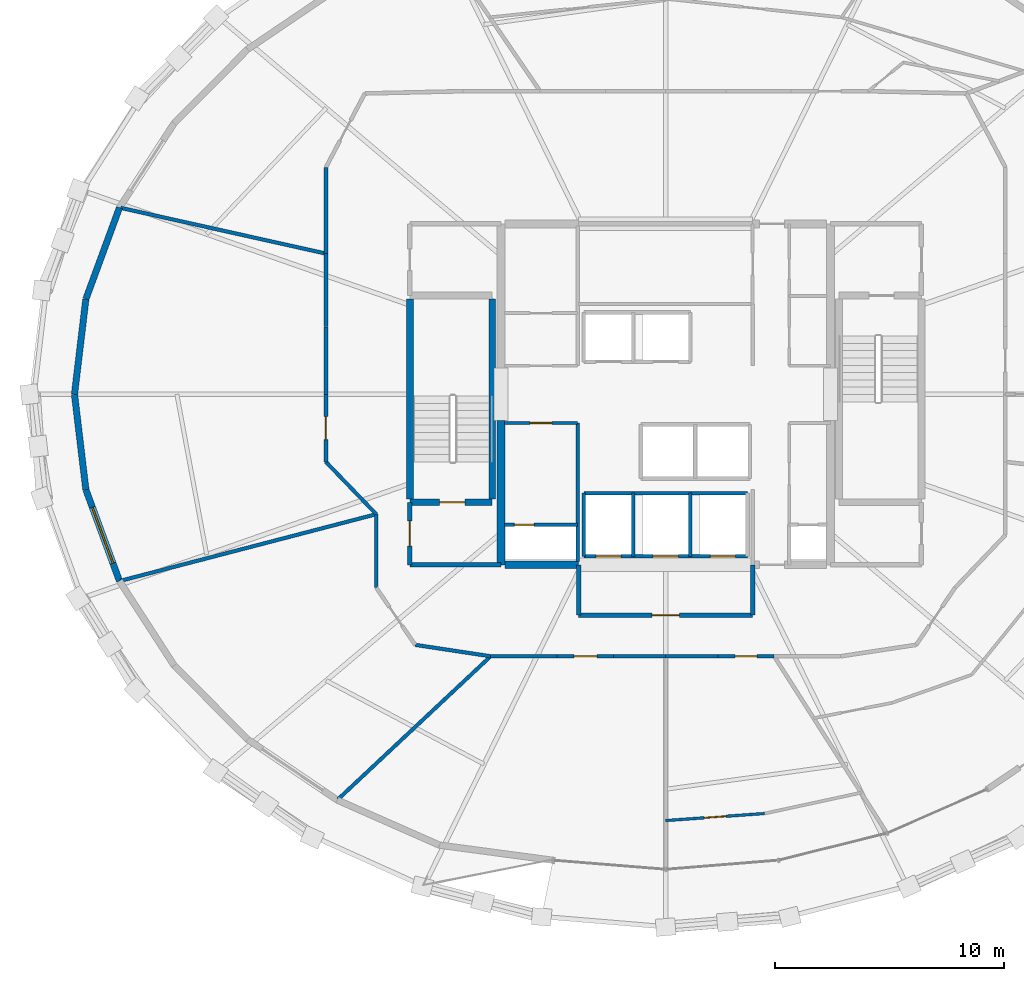
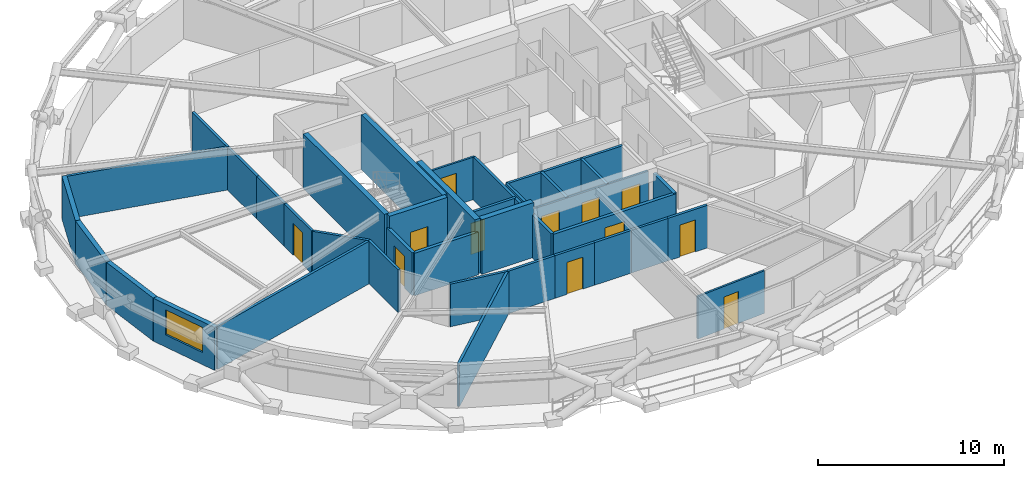
# One storey, part 13 of 17: 38 walls, 12 doors, 1 window, 13 openings.
"""IFC4 building model written with IfcOpenShell, lengths in metres."""

from ifc_helpers import new_model, si_unit, direction, frame, frame_2d, origin, place, context, subcontext, project, spatial, rectangle, extrude, material, layer, layer_set, type_object, element, fill, save


model = new_model("IFC4")

# Units and contexts
model_context = context("Model", 3, precision=1e-05, world=origin(), true_north=direction((0.0, 1.0)))
body_context = subcontext(model_context, "Body", "Model", "MODEL_VIEW")
ifc_project = project(units=[si_unit("LENGTHUNIT", "METRE"), si_unit("AREAUNIT", "SQUARE_METRE"), si_unit("VOLUMEUNIT", "CUBIC_METRE"), si_unit("PLANEANGLEUNIT", "RADIAN"), si_unit("MASSUNIT", "GRAM", prefix="KILO")], contexts=[model_context])

# Site, building, storey
site_placement = place(None, origin())
site = spatial("IfcSite", under=ifc_project, at=site_placement, CompositionType="ELEMENT")
building_placement = place(site_placement, origin())
building = spatial("IfcBuilding", under=site, at=building_placement, Name="Veldorina Hangang Commons", CompositionType="ELEMENT")
storey_placement = place(building_placement, frame((0.0, 0.0, 178.39990234375)))
storey = spatial("IfcBuildingStorey", under=building, at=storey_placement, Name="L46", CompositionType="ELEMENT", Elevation=178.39990234375)

# Walls
ifc_material_1 = material(Name="Concrete C60/75", Category="concrete")
ifc_layer_1 = layer(ifc_material_1, 0.340087890625)
ifc_layer_set_1 = layer_set([ifc_layer_1], Name="Concrete C60/75")
wall_type_1 = type_object("IfcWallType", Name="CW-RC340-C60", PredefinedType="SHEAR", material=ifc_layer_set_1)
wall_1_placement = place(storey_placement, frame((24.800048828125, 16.550048828125, 0.0), z_axis=(0.0, 0.0, 1.0), x_axis=(0.0, 1.0, 0.0)))
element("IfcWall", 1, at=wall_1_placement, inside=storey, type_object=wall_type_1, Name="L46 W south core shear wall", PredefinedType="SHEAR", context=body_context, shape_type="SweptSolid", body=[
    extrude(rectangle(XDim=6.300048828125, YDim=0.340087890625, at=frame_2d((3.14990234375, 0.0))), origin(), (0.0, 0.0, 1.0), 3.60009765625),
])
wall_2_placement = place(storey_placement, frame((24.969970703125, 16.550048828125, 0.0), z_axis=(0.0, 0.0, 1.0), x_axis=(1.0, 0.0, 0.0)))
element("IfcWall", 2, at=wall_2_placement, inside=storey, type_object=wall_type_1, Name="L46 south-west core shear wall", PredefinedType="SHEAR", context=body_context, shape_type="SweptSolid", body=[
    extrude(rectangle(XDim=3.22998046875, YDim=0.340087890625, at=frame_2d((1.614990234375, 0.0))), origin(), (0.0, 0.0, 1.0), 3.60009765625),
])
ifc_material_2 = material(Name="Stone Roman Travertine", Category="masonry")
ifc_layer_2 = layer(ifc_material_2, 0.280029296875)
ifc_layer_set_2 = layer_set([ifc_layer_2], Name="Stone Roman Travertine")
wall_type_2 = type_object("IfcWallType", Name="EW-TRAV-280", PredefinedType="STANDARD", material=ifc_layer_set_2)
wall_3_placement = place(storey_placement, frame((8.12744140625, 32.161865234375, 0.0), z_axis=(0.0, 0.0, 1.0), x_axis=(-0.344964732898, -0.93861564714, 0.0)))
element("IfcWall", 3, at=wall_3_placement, inside=storey, type_object=wall_type_2, Name="L46 travertine facade wall 14", PredefinedType="STANDARD", context=body_context, shape_type="SweptSolid", body=[
    extrude(rectangle(XDim=4.2626953125, YDim=0.280029296875, at=frame_2d((2.13134765625, 0.0))), origin(), (0.0, 0.0, 1.0), 2.820068359375),
])
for number, where, z_axis, x_axis, name in (
    (4, (6.656982421875, 28.160888671875, 0.0), (0.0, 0.0, 1.0), (-0.118504225586, -0.992953548016, 0.0), "L46 travertine facade wall 15"),
    (5, (6.160400390625, 24.0, 0.0), (0.0, 0.0, 1.0), (0.118504225586, -0.992953548016, 0.0), "L46 travertine facade wall 16"),
):
    element("IfcWall", number, at=place(storey_placement, frame(where, z_axis=z_axis, x_axis=x_axis)), inside=storey, type_object=wall_type_2, Name=name, PredefinedType="STANDARD", context=body_context, shape_type="SweptSolid", body=[
        extrude(rectangle(XDim=4.1904296875, YDim=0.280029296875, at=frame_2d((2.09521484375, 0.0))), origin(), (0.0, 0.0, 1.0), 2.820068359375),
    ])

# Wall, opening, window
wall_4_placement = place(storey_placement, frame((6.656982421875, 19.839111328125, 0.0), z_axis=(0.0, 0.0, 1.0), x_axis=(0.344964732898, -0.93861564714, 0.0)))
wall_4 = element("IfcWall", 6, at=wall_4_placement, inside=storey, type_object=wall_type_2, Name="L46 travertine facade wall 17", PredefinedType="STANDARD", context=body_context, shape_type="SweptSolid", body=[
    extrude(rectangle(XDim=4.2626953125, YDim=0.280029296875, at=frame_2d((2.13134765625, 0.0))), origin(), (0.0, 0.0, 1.0), 2.820068359375),
])
opening_1_placement = place(wall_4_placement, frame((0.831298828125, 0.0, 0.800048828125)))
opening_1 = element("IfcOpeningElement", 7, at=opening_1_placement, cuts=wall_4, Name="Opening W-02", PredefinedType="OPENING", context=body_context, shape_type="SweptSolid", body=[
    extrude(rectangle(XDim=2.60009765625, YDim=1.64990234375, at=frame_2d((1.300048828125, 0.824951171875))), frame((0.0, 0.14990234375, 0.0), z_axis=(0.0, -1.0, 0.0), x_axis=(1.0, 0.0, 0.0)), (0.0, 0.0, 1.0), 0.300048828125),
])
ifc_material_3 = material(Name="Glass Low-E Triple IGU", Category="glass")
window_type = type_object("IfcWindowType", Name="WIN-TWR-2600", PartitioningType="SINGLE_PANEL", PredefinedType="WINDOW", material=ifc_material_3)
window_placement = place(opening_1_placement, origin())
window = element("IfcWindow", 8, at=window_placement, inside=storey, type_object=window_type, Name="L46 facade window 17", OverallHeight=1.64990234375, OverallWidth=2.60009765625, PartitioningType="SINGLE_PANEL", PredefinedType="WINDOW", context=body_context, shape_type="SweptSolid", body=[
    extrude(rectangle(XDim=2.60009765625, YDim=1.64990234375, at=frame_2d((1.300048828125, 0.824951171875))), frame((0.0, 0.030029296875, 0.0), z_axis=(0.0, -1.0, 0.0), x_axis=(1.0, 0.0, 0.0)), (0.0, 0.0, 1.0), 0.06005859375),
])
fill(opening_1, window)

# Walls
ifc_material_4 = material(Name="Concrete C50/60", Category="concrete")
ifc_layer_3 = layer(ifc_material_4, 0.300048828125)
ifc_layer_set_3 = layer_set([ifc_layer_3], Name="Concrete C50/60")
wall_type_3 = type_object("IfcWallType", Name="SW-STAIR-300", PredefinedType="SHEAR", material=ifc_layer_set_3)
for number, where, z_axis, x_axis, name in (
    (9, (20.820068359375, 19.429931640625, 0.0), (0.0, 0.0, 1.0), (0.0, 1.0, 0.0), "L46 ST1 outer stair shear wall"),
    (10, (24.419921875, 19.429931640625, 0.0), (0.0, 0.0, 1.0), (0.0, 1.0, 0.0), "L46 ST1 inner stair shear wall"),
):
    element("IfcWall", number, at=place(storey_placement, frame(where, z_axis=z_axis, x_axis=x_axis)), inside=storey, type_object=wall_type_3, Name=name, PredefinedType="SHEAR", context=body_context, shape_type="SweptSolid", body=[
        extrude(rectangle(XDim=8.739990234375, YDim=0.300048828125, at=frame_2d((4.3701171875, 0.0))), origin(), (0.0, 0.0, 1.0), 3.60009765625),
    ])

# Wall, opening, door
wall_5_placement = place(storey_placement, frame((20.820068359375, 19.280029296875, 0.0), z_axis=(0.0, 0.0, 1.0), x_axis=(1.0, 0.0, 0.0)))
wall_5 = element("IfcWall", 11, at=wall_5_placement, inside=storey, type_object=wall_type_3, Name="L46 ST1 south stair shear wall", PredefinedType="SHEAR", context=body_context, shape_type="SweptSolid", body=[
    extrude(rectangle(XDim=3.599853515625, YDim=0.300048828125, at=frame_2d((1.7998046875, 0.0))), origin(), (0.0, 0.0, 1.0), 3.60009765625),
])
opening_2_placement = place(wall_5_placement, frame((1.300048828125, 0.0, 0.0)))
opening_2 = element("IfcOpeningElement", 12, at=opening_2_placement, cuts=wall_5, Name="Opening D-08", PredefinedType="OPENING", context=body_context, shape_type="SweptSolid", body=[
    extrude(rectangle(XDim=1.10009765625, YDim=2.10009765625, at=frame_2d((0.550048828125, 1.050048828125))), frame((0.0, 0.16015625, 0.0), z_axis=(0.0, -1.0, 0.0), x_axis=(1.0, 0.0, 0.0)), (0.0, 0.0, 1.0), 0.320068359375),
])
ifc_material_5 = material(Name="Steel Fire-Rated Smoke Seal", Category="steel")
door_type_1 = type_object("IfcDoorType", Name="DR-FIRE-1100", OperationType="SINGLE_SWING_RIGHT", PredefinedType="DOOR", material=ifc_material_5)
door_1_placement = place(opening_2_placement, origin())
door_1 = element("IfcDoor", 13, at=door_1_placement, inside=storey, type_object=door_type_1, Name="L46 Special Escape Stair ST-1 door", OperationType="SINGLE_SWING_LEFT", OverallHeight=2.10009765625, OverallWidth=1.10009765625, PredefinedType="DOOR", context=body_context, shape_type="SweptSolid", body=[
    extrude(rectangle(XDim=1.10009765625, YDim=2.10009765625, at=frame_2d((0.550048828125, 1.050048828125))), frame((0.0, 0.02490234375, 0.0), z_axis=(0.0, -1.0, 0.0), x_axis=(1.0, 0.0, 0.0)), (0.0, 0.0, 1.0), 0.050048828125),
])
fill(opening_2, door_1)

# Wall, openings, doors
ifc_material_6 = material(Name="Gypsum Fire-Rated Twin Stud Wall", Category="gypsum")
ifc_layer_4 = layer(ifc_material_6, 0.159912109375)
ifc_layer_set_4 = layer_set([ifc_layer_4], Name="Gypsum Fire-Rated Twin Stud Wall")
wall_type_4 = type_object("IfcWallType", Name="WL-FIRE-160", PredefinedType="SOLIDWALL", material=ifc_layer_set_4)
wall_6_placement = place(storey_placement, frame((28.419921875, 16.919921875, 0.0), z_axis=(0.0, 0.0, 1.0), x_axis=(1.0, 0.0, 0.0)))
wall_6 = element("IfcWall", 14, at=wall_6_placement, inside=storey, type_object=wall_type_4, Name="L46 Emergency front shaft wall 025", PredefinedType="SOLIDWALL", context=body_context, shape_type="SweptSolid", body=[
    extrude(rectangle(XDim=7.16015625, YDim=0.159912109375, at=frame_2d((3.580078125, 0.0))), origin(), (0.0, 0.0, 1.0), 2.800048828125),
])
opening_3_placement = place(wall_6_placement, frame((0.530029296875, 0.0, 0.0)))
opening_3 = element("IfcOpeningElement", 15, at=opening_3_placement, cuts=wall_6, Name="Opening LD-03", PredefinedType="OPENING", context=body_context, shape_type="SweptSolid", body=[
    extrude(rectangle(XDim=1.10009765625, YDim=2.14990234375, at=frame_2d((0.550048828125, 1.074951171875))), frame((0.0, 0.08984375, 0.0), z_axis=(0.0, -1.0, 0.0), x_axis=(1.0, 0.0, 0.0)), (0.0, 0.0, 1.0), 0.179931640625),
])
opening_4_placement = place(wall_6_placement, frame((3.030029296875, 0.0, 0.0)))
opening_4 = element("IfcOpeningElement", 16, at=opening_4_placement, cuts=wall_6, Name="Opening LD-03", PredefinedType="OPENING", context=body_context, shape_type="SweptSolid", body=[
    extrude(rectangle(XDim=1.10009765625, YDim=2.14990234375, at=frame_2d((0.550048828125, 1.074951171875))), frame((0.0, 0.08984375, 0.0), z_axis=(0.0, -1.0, 0.0), x_axis=(1.0, 0.0, 0.0)), (0.0, 0.0, 1.0), 0.179931640625),
])
opening_5_placement = place(wall_6_placement, frame((5.530029296875, 0.0, 0.0)))
opening_5 = element("IfcOpeningElement", 17, at=opening_5_placement, cuts=wall_6, Name="Opening LD-03", PredefinedType="OPENING", context=body_context, shape_type="SweptSolid", body=[
    extrude(rectangle(XDim=1.10009765625, YDim=2.14990234375, at=frame_2d((0.550048828125, 1.074951171875))), frame((0.0, 0.08984375, 0.0), z_axis=(0.0, -1.0, 0.0), x_axis=(1.0, 0.0, 0.0)), (0.0, 0.0, 1.0), 0.179931640625),
])
ifc_material_7 = material(Name="Stainless Steel Firefighting Lift Door", Category="steel")
door_type_2 = type_object("IfcDoorType", Name="DR-LIFT-FF1100", OperationType="SLIDING_TO_RIGHT", PredefinedType="DOOR", material=ifc_material_7)
door_2_placement = place(opening_3_placement, origin())
door_2 = element("IfcDoor", 18, at=door_2_placement, inside=storey, type_object=door_type_2, Name="L46 Emergency lift FFL-1 landing door 008", OperationType="SLIDING_TO_RIGHT", OverallHeight=2.14990234375, OverallWidth=1.10009765625, PredefinedType="DOOR", context=body_context, shape_type="SweptSolid", body=[
    extrude(rectangle(XDim=1.10009765625, YDim=2.14990234375, at=frame_2d((0.550048828125, 1.074951171875))), frame((0.0, 0.02490234375, 0.0), z_axis=(0.0, -1.0, 0.0), x_axis=(1.0, 0.0, 0.0)), (0.0, 0.0, 1.0), 0.050048828125),
])
fill(opening_3, door_2)
door_3_placement = place(opening_4_placement, origin())
door_3 = element("IfcDoor", 19, at=door_3_placement, inside=storey, type_object=door_type_2, Name="L46 Emergency lift FFL-2 landing door 009", OperationType="SLIDING_TO_RIGHT", OverallHeight=2.14990234375, OverallWidth=1.10009765625, PredefinedType="DOOR", context=body_context, shape_type="SweptSolid", body=[
    extrude(rectangle(XDim=1.10009765625, YDim=2.14990234375, at=frame_2d((0.550048828125, 1.074951171875))), frame((0.0, 0.02490234375, 0.0), z_axis=(0.0, -1.0, 0.0), x_axis=(1.0, 0.0, 0.0)), (0.0, 0.0, 1.0), 0.050048828125),
])
fill(opening_4, door_3)
door_4_placement = place(opening_5_placement, origin())
door_4 = element("IfcDoor", 20, at=door_4_placement, inside=storey, type_object=door_type_2, Name="L46 Emergency lift EVL-1 landing door 010", OperationType="SLIDING_TO_RIGHT", OverallHeight=2.14990234375, OverallWidth=1.10009765625, PredefinedType="DOOR", context=body_context, shape_type="SweptSolid", body=[
    extrude(rectangle(XDim=1.10009765625, YDim=2.14990234375, at=frame_2d((0.550048828125, 1.074951171875))), frame((0.0, 0.02490234375, 0.0), z_axis=(0.0, -1.0, 0.0), x_axis=(1.0, 0.0, 0.0)), (0.0, 0.0, 1.0), 0.050048828125),
])
fill(opening_5, door_4)

# Walls
wall_7_placement = place(storey_placement, frame((28.419921875, 19.679931640625, 0.0), z_axis=(0.0, 0.0, 1.0), x_axis=(1.0, 0.0, 0.0)))
element("IfcWall", 21, at=wall_7_placement, inside=storey, type_object=wall_type_4, Name="L46 Emergency rear shaft wall 026", PredefinedType="SOLIDWALL", context=body_context, shape_type="SweptSolid", body=[
    extrude(rectangle(XDim=7.16015625, YDim=0.159912109375, at=frame_2d((3.580078125, 0.0))), origin(), (0.0, 0.0, 1.0), 2.800048828125),
])
for number, where, z_axis, x_axis, name in (
    (22, (28.419921875, 16.919921875, 0.0), (0.0, 0.0, 1.0), (0.0, 1.0, 0.0), "L46 FFL-1 west shaft wall 027"),
    (23, (30.580078125, 16.919921875, 0.0), (0.0, 0.0, 1.0), (0.0, 1.0, 0.0), "L46 FFL-1 east shaft wall 028"),
    (24, (33.080078125, 16.919921875, 0.0), (0.0, 0.0, 1.0), (0.0, 1.0, 0.0), "L46 FFL-2 east shaft wall 029"),
):
    element("IfcWall", number, at=place(storey_placement, frame(where, z_axis=z_axis, x_axis=x_axis)), inside=storey, type_object=wall_type_4, Name=name, PredefinedType="SOLIDWALL", context=body_context, shape_type="SweptSolid", body=[
        extrude(rectangle(XDim=2.760009765625, YDim=0.159912109375, at=frame_2d((1.3798828125, 0.0))), origin(), (0.0, 0.0, 1.0), 2.800048828125),
    ])

# Wall, opening, door
wall_8_placement = place(storey_placement, frame((24.949951171875, 18.300048828125, 0.0), z_axis=(0.0, 0.0, 1.0), x_axis=(1.0, 0.0, 0.0)))
wall_8 = element("IfcWall", 25, at=wall_8_placement, inside=storey, type_object=wall_type_4, Name="L46 Electrical riser wall 034", PredefinedType="SOLIDWALL", context=body_context, shape_type="SweptSolid", body=[
    extrude(rectangle(XDim=3.199951171875, YDim=0.159912109375, at=frame_2d((1.60009765625, 0.0))), origin(), (0.0, 0.0, 1.0), 2.800048828125),
])
opening_6_placement = place(wall_8_placement, frame((0.43994140625, 0.0, 0.0)))
opening_6 = element("IfcOpeningElement", 26, at=opening_6_placement, cuts=wall_8, Name="Opening D-12", PredefinedType="OPENING", context=body_context, shape_type="SweptSolid", body=[
    extrude(rectangle(XDim=0.860107421875, YDim=2.050048828125, at=frame_2d((0.43017578125, 1.02490234375))), frame((0.0, 0.08984375, 0.0), z_axis=(0.0, -1.0, 0.0), x_axis=(1.0, 0.0, 0.0)), (0.0, 0.0, 1.0), 0.179931640625),
])
ifc_material_8 = material(Name="Steel Insulated Riser Access", Category="steel")
door_type_3 = type_object("IfcDoorType", Name="DR-TRAP-860", OperationType="SINGLE_SWING_LEFT", PredefinedType="TRAPDOOR", material=ifc_material_8)
door_5_placement = place(opening_6_placement, origin())
door_5 = element("IfcDoor", 27, at=door_5_placement, inside=storey, type_object=door_type_3, Name="L46 Electrical riser access door 012", OperationType="SINGLE_SWING_RIGHT", OverallHeight=2.050048828125, OverallWidth=0.860107421875, PredefinedType="TRAPDOOR", context=body_context, shape_type="SweptSolid", body=[
    extrude(rectangle(XDim=0.860107421875, YDim=2.050048828125, at=frame_2d((0.43017578125, 1.02490234375))), frame((0.0, 0.02490234375, 0.0), z_axis=(0.0, -1.0, 0.0), x_axis=(1.0, 0.0, 0.0)), (0.0, 0.0, 1.0), 0.050048828125),
])
fill(opening_6, door_5)

# Walls
wall_9_placement = place(storey_placement, frame((28.14990234375, 16.699951171875, 0.0), z_axis=(0.0, 0.0, 1.0), x_axis=(0.0, 1.0, 0.0)))
element("IfcWall", 28, at=wall_9_placement, inside=storey, type_object=wall_type_4, Name="L46 SW core inner wall 035", PredefinedType="SOLIDWALL", context=body_context, shape_type="SweptSolid", body=[
    extrude(rectangle(XDim=6.050048828125, YDim=0.159912109375, at=frame_2d((3.02490234375, 0.0))), origin(), (0.0, 0.0, 1.0), 2.800048828125),
])
wall_10_placement = place(storey_placement, frame((17.14990234375, 33.922607421875, 0.0), z_axis=(0.0, 0.0, 1.0), x_axis=(0.0, -1.0, 0.0)))
element("IfcWall", 29, at=wall_10_placement, inside=storey, type_object=wall_type_4, Name="L46 U-corridor outer wall 13 059", PredefinedType="SOLIDWALL", context=body_context, shape_type="SweptSolid", body=[
    extrude(rectangle(XDim=3.771484375, YDim=0.159912109375, at=frame_2d((1.8857421875, 0.0))), origin(), (0.0, 0.0, 1.0), 2.800048828125),
])
wall_11_placement = place(storey_placement, frame((17.14990234375, 30.151123046875, 0.0), z_axis=(0.0, 0.0, 1.0), x_axis=(0.0, -1.0, 0.0)))
element("IfcWall", 30, at=wall_11_placement, inside=storey, type_object=wall_type_4, Name="L46 U-corridor outer wall 14 060", PredefinedType="SOLIDWALL", context=body_context, shape_type="SweptSolid", body=[
    extrude(rectangle(XDim=3.197265625, YDim=0.159912109375, at=frame_2d((1.5986328125, 0.0))), origin(), (0.0, 0.0, 1.0), 2.800048828125),
])
wall_12_placement = place(storey_placement, frame((17.14990234375, 26.953857421875, 0.0), z_axis=(0.0, 0.0, 1.0), x_axis=(0.0, -1.0, 0.0)))
element("IfcWall", 31, at=wall_12_placement, inside=storey, type_object=wall_type_4, Name="L46 U-corridor outer wall 15 061", PredefinedType="SOLIDWALL", context=body_context, shape_type="SweptSolid", body=[
    extrude(rectangle(XDim=2.953857421875, YDim=0.159912109375, at=frame_2d((1.47705078125, 0.0))), origin(), (0.0, 0.0, 1.0), 2.800048828125),
])

# Wall, opening, door
wall_13_placement = place(storey_placement, frame((17.14990234375, 24.0, 0.0), z_axis=(0.0, 0.0, 1.0), x_axis=(0.0, -1.0, 0.0)))
wall_13 = element("IfcWall", 32, at=wall_13_placement, inside=storey, type_object=wall_type_4, Name="L46 U-corridor outer wall 16 062", PredefinedType="SOLIDWALL", context=body_context, shape_type="SweptSolid", body=[
    extrude(rectangle(XDim=2.953857421875, YDim=0.159912109375, at=frame_2d((1.47705078125, 0.0))), origin(), (0.0, 0.0, 1.0), 2.800048828125),
])
opening_7_placement = place(wall_13_placement, frame((0.976806640625, 0.0, 0.0)))
opening_7 = element("IfcOpeningElement", 33, at=opening_7_placement, cuts=wall_13, Name="Opening D-05", PredefinedType="OPENING", context=body_context, shape_type="SweptSolid", body=[
    extrude(rectangle(XDim=1.0, YDim=2.10009765625, at=frame_2d((0.5, 1.050048828125))), frame((0.0, 0.08984375, 0.0), z_axis=(0.0, -1.0, 0.0), x_axis=(1.0, 0.0, 0.0)), (0.0, 0.0, 1.0), 0.179931640625),
])
ifc_material_9 = material(Name="Timber Solid Core Acoustic", Category="wood")
door_type_4 = type_object("IfcDoorType", Name="DR-INT-1000", OperationType="SINGLE_SWING_RIGHT", PredefinedType="DOOR", material=ifc_material_9)
door_6_placement = place(opening_7_placement, origin())
door_6 = element("IfcDoor", 34, at=door_6_placement, inside=storey, type_object=door_type_4, Name="L46 Floor Study Room 5 door 033", OperationType="SINGLE_SWING_LEFT", OverallHeight=2.10009765625, OverallWidth=1.0, PredefinedType="DOOR", context=body_context, shape_type="SweptSolid", body=[
    extrude(rectangle(XDim=1.0, YDim=2.10009765625, at=frame_2d((0.5, 1.050048828125))), frame((0.0, 0.02490234375, 0.0), z_axis=(0.0, -1.0, 0.0), x_axis=(1.0, 0.0, 0.0)), (0.0, 0.0, 1.0), 0.050048828125),
])
fill(opening_7, door_6)

# Walls
wall_14_placement = place(storey_placement, frame((17.14990234375, 21.046142578125, 0.0), z_axis=(0.0, 0.0, 1.0), x_axis=(0.693473090138, -0.72048252807, 0.0)))
element("IfcWall", 35, at=wall_14_placement, inside=storey, type_object=wall_type_4, Name="L46 U-corridor outer wall 17 063", PredefinedType="SOLIDWALL", context=body_context, shape_type="SweptSolid", body=[
    extrude(rectangle(XDim=3.172607421875, YDim=0.159912109375, at=frame_2d((1.58642578125, 0.0))), origin(), (0.0, 0.0, 1.0), 2.800048828125),
])
wall_15_placement = place(storey_placement, frame((19.35009765625, 18.76025390625, 0.0), z_axis=(0.0, 0.0, 1.0), x_axis=(0.0, -1.0, 0.0)))
element("IfcWall", 36, at=wall_15_placement, inside=storey, type_object=wall_type_4, Name="L46 U-corridor outer wall 18 064", PredefinedType="SOLIDWALL", context=body_context, shape_type="SweptSolid", body=[
    extrude(rectangle(XDim=3.212646484375, YDim=0.159912109375, at=frame_2d((1.6064453125, 0.0))), origin(), (0.0, 0.0, 1.0), 2.800048828125),
])
wall_16_placement = place(storey_placement, frame((21.050048828125, 13.050048828125, 0.0), z_axis=(0.0, 0.0, 1.0), x_axis=(0.988710906508, -0.149835721217, 0.0)))
element("IfcWall", 37, at=wall_16_placement, inside=storey, type_object=wall_type_4, Name="L46 U-corridor outer wall 20 066", PredefinedType="SOLIDWALL", context=body_context, shape_type="SweptSolid", body=[
    extrude(rectangle(XDim=3.3369140625, YDim=0.159912109375, at=frame_2d((1.66845703125, 0.0))), origin(), (0.0, 0.0, 1.0), 2.800048828125),
])
wall_17_placement = place(storey_placement, frame((24.349365234375, 12.550048828125, 0.0), z_axis=(0.0, 0.0, 1.0), x_axis=(1.0, 0.0, 0.0)))
element("IfcWall", 38, at=wall_17_placement, inside=storey, type_object=wall_type_4, Name="L46 U-corridor outer wall 21 067", PredefinedType="SOLIDWALL", context=body_context, shape_type="SweptSolid", body=[
    extrude(rectangle(XDim=2.907958984375, YDim=0.159912109375, at=frame_2d((1.4541015625, 0.0))), origin(), (0.0, 0.0, 1.0), 2.800048828125),
])

# Wall, opening, door
wall_18_placement = place(storey_placement, frame((27.25732421875, 12.550048828125, 0.0), z_axis=(0.0, 0.0, 1.0), x_axis=(1.0, 0.0, 0.0)))
wall_18 = element("IfcWall", 39, at=wall_18_placement, inside=storey, type_object=wall_type_4, Name="L46 U-corridor outer wall 22 068", PredefinedType="SOLIDWALL", context=body_context, shape_type="SweptSolid", body=[
    extrude(rectangle(XDim=2.465087890625, YDim=0.159912109375, at=frame_2d((1.232421875, 0.0))), origin(), (0.0, 0.0, 1.0), 2.800048828125),
])
opening_8_placement = place(wall_18_placement, frame((0.732666015625, 0.0, 0.0)))
opening_8 = element("IfcOpeningElement", 40, at=opening_8_placement, cuts=wall_18, Name="Opening D-05", PredefinedType="OPENING", context=body_context, shape_type="SweptSolid", body=[
    extrude(rectangle(XDim=1.0, YDim=2.10009765625, at=frame_2d((0.5, 1.050048828125))), frame((0.0, 0.08984375, 0.0), z_axis=(0.0, -1.0, 0.0), x_axis=(1.0, 0.0, 0.0)), (0.0, 0.0, 1.0), 0.179931640625),
])
door_7_placement = place(opening_8_placement, origin())
door_7 = element("IfcDoor", 41, at=door_7_placement, inside=storey, type_object=door_type_4, Name="L46 Seminar Focus Room 7 door 035", OperationType="SINGLE_SWING_LEFT", OverallHeight=2.10009765625, OverallWidth=1.0, PredefinedType="DOOR", context=body_context, shape_type="SweptSolid", body=[
    extrude(rectangle(XDim=1.0, YDim=2.10009765625, at=frame_2d((0.5, 1.050048828125))), frame((0.0, 0.02490234375, 0.0), z_axis=(0.0, -1.0, 0.0), x_axis=(1.0, 0.0, 0.0)), (0.0, 0.0, 1.0), 0.050048828125),
])
fill(opening_8, door_7)

# Walls
for number, where, z_axis, x_axis, name in (
    (42, (29.722412109375, 12.550048828125, 0.0), (0.0, 0.0, 1.0), (1.0, 0.0, 0.0), "L46 U-corridor outer wall 23 069"),
    (43, (32.0, 12.550048828125, 0.0), (0.0, 0.0, 1.0), (1.0, 0.0, 0.0), "L46 U-corridor outer wall 24 070"),
):
    element("IfcWall", number, at=place(storey_placement, frame(where, z_axis=z_axis, x_axis=x_axis)), inside=storey, type_object=wall_type_4, Name=name, PredefinedType="SOLIDWALL", context=body_context, shape_type="SweptSolid", body=[
        extrude(rectangle(XDim=2.277587890625, YDim=0.159912109375, at=frame_2d((1.138671875, 0.0))), origin(), (0.0, 0.0, 1.0), 2.800048828125),
    ])

# Wall, opening, door
wall_19_placement = place(storey_placement, frame((34.277587890625, 12.550048828125, 0.0), z_axis=(0.0, 0.0, 1.0), x_axis=(1.0, 0.0, 0.0)))
wall_19 = element("IfcWall", 44, at=wall_19_placement, inside=storey, type_object=wall_type_4, Name="L46 U-corridor outer wall 25 071", PredefinedType="SOLIDWALL", context=body_context, shape_type="SweptSolid", body=[
    extrude(rectangle(XDim=2.465087890625, YDim=0.159912109375, at=frame_2d((1.232421875, 0.0))), origin(), (0.0, 0.0, 1.0), 2.800048828125),
])
opening_9_placement = place(wall_19_placement, frame((0.757568359375, 0.0, 0.0)))
opening_9 = element("IfcOpeningElement", 45, at=opening_9_placement, cuts=wall_19, Name="Opening D-02", PredefinedType="OPENING", context=body_context, shape_type="SweptSolid", body=[
    extrude(rectangle(XDim=0.949951171875, YDim=2.10009765625, at=frame_2d((0.47509765625, 1.050048828125))), frame((0.0, 0.08984375, 0.0), z_axis=(0.0, -1.0, 0.0), x_axis=(1.0, 0.0, 0.0)), (0.0, 0.0, 1.0), 0.179931640625),
])
door_type_5 = type_object("IfcDoorType", Name="DR-INT-950", OperationType="SINGLE_SWING_LEFT", PredefinedType="DOOR", material=ifc_material_9)
door_8_placement = place(opening_9_placement, origin())
door_8 = element("IfcDoor", 46, at=door_8_placement, inside=storey, type_object=door_type_5, Name="L46 Linen drying store door 036", OperationType="SINGLE_SWING_RIGHT", OverallHeight=2.10009765625, OverallWidth=0.949951171875, PredefinedType="DOOR", context=body_context, shape_type="SweptSolid", body=[
    extrude(rectangle(XDim=0.949951171875, YDim=2.10009765625, at=frame_2d((0.47509765625, 1.050048828125))), frame((0.0, 0.02490234375, 0.0), z_axis=(0.0, -1.0, 0.0), x_axis=(1.0, 0.0, 0.0)), (0.0, 0.0, 1.0), 0.050048828125),
])
fill(opening_9, door_8)

# Walls
wall_20_placement = place(storey_placement, frame((17.14990234375, 30.151123046875, 0.0), z_axis=(0.0, 0.0, 1.0), x_axis=(-0.976057547945, 0.217512443552, 0.0)))
element("IfcWall", 47, at=wall_20_placement, inside=storey, type_object=wall_type_4, Name="L46 Unit party wall 14 101", PredefinedType="SOLIDWALL", context=body_context, shape_type="SweptSolid", body=[
    extrude(rectangle(XDim=9.19384765625, YDim=0.159912109375, at=frame_2d((4.596923828125, 0.0))), origin(), (0.0, 0.0, 1.0), 2.800048828125),
])
wall_21_placement = place(storey_placement, frame((19.35009765625, 18.76025390625, 0.0), z_axis=(0.0, 0.0, 1.0), x_axis=(-0.967735942842, -0.251966555186, 0.0)))
element("IfcWall", 48, at=wall_21_placement, inside=storey, type_object=wall_type_4, Name="L46 Unit party wall 18 102", PredefinedType="SOLIDWALL", context=body_context, shape_type="SweptSolid", body=[
    extrude(rectangle(XDim=11.546875, YDim=0.159912109375, at=frame_2d((5.7734375, 0.0))), origin(), (0.0, 0.0, 1.0), 2.800048828125),
])
wall_22_placement = place(storey_placement, frame((24.349365234375, 12.550048828125, 0.0), z_axis=(0.0, 0.0, 1.0), x_axis=(-0.729668817256, -0.68380071448, 0.0)))
element("IfcWall", 49, at=wall_22_placement, inside=storey, type_object=wall_type_4, Name="L46 Unit party wall 21 103", PredefinedType="SOLIDWALL", context=body_context, shape_type="SweptSolid", body=[
    extrude(rectangle(XDim=9.138916015625, YDim=0.159912109375, at=frame_2d((4.5693359375, 0.0))), origin(), (0.0, 0.0, 1.0), 2.800048828125),
])

# Wall, opening, door
ifc_material_10 = material(Name="Concrete Blockwork Fire Wall C30/37", Category="masonry")
ifc_layer_5 = layer(ifc_material_10, 0.199951171875)
ifc_layer_set_5 = layer_set([ifc_layer_5], Name="Concrete Blockwork Fire Wall C30/37")
wall_type_5 = type_object("IfcWallType", Name="WL-FIRE-200", PredefinedType="SOLIDWALL", material=ifc_layer_set_5)
wall_23_placement = place(storey_placement, frame((20.820068359375, 16.550048828125, 0.0), z_axis=(0.0, 0.0, 1.0), x_axis=(0.0, 1.0, 0.0)))
wall_23 = element("IfcWall", 50, at=wall_23_placement, inside=storey, type_object=wall_type_5, Name="L46 West vestibule outer wall 001", PredefinedType="SOLIDWALL", context=body_context, shape_type="SweptSolid", body=[
    extrude(rectangle(XDim=2.72998046875, YDim=0.199951171875, at=frame_2d((1.364990234375, 0.0))), origin(), (0.0, 0.0, 1.0), 2.800048828125),
])
opening_10_placement = place(wall_23_placement, frame((0.81494140625, 0.0, 0.0)))
opening_10 = element("IfcOpeningElement", 51, at=opening_10_placement, cuts=wall_23, Name="Opening D-08", PredefinedType="OPENING", context=body_context, shape_type="SweptSolid", body=[
    extrude(rectangle(XDim=1.10009765625, YDim=2.10009765625, at=frame_2d((0.550048828125, 1.050048828125))), frame((0.0, 0.10986328125, 0.0), z_axis=(0.0, -1.0, 0.0), x_axis=(1.0, 0.0, 0.0)), (0.0, 0.0, 1.0), 0.219970703125),
])
door_9_placement = place(opening_10_placement, origin())
door_9 = element("IfcDoor", 52, at=door_9_placement, inside=storey, type_object=door_type_1, Name="L46 West vestibule west door 001", OperationType="SINGLE_SWING_LEFT", OverallHeight=2.10009765625, OverallWidth=1.10009765625, PredefinedType="DOOR", context=body_context, shape_type="SweptSolid", body=[
    extrude(rectangle(XDim=1.10009765625, YDim=2.10009765625, at=frame_2d((0.550048828125, 1.050048828125))), frame((0.0, 0.02490234375, 0.0), z_axis=(0.0, -1.0, 0.0), x_axis=(1.0, 0.0, 0.0)), (0.0, 0.0, 1.0), 0.050048828125),
])
fill(opening_10, door_9)

# Walls
wall_24_placement = place(storey_placement, frame((20.820068359375, 16.550048828125, 0.0), z_axis=(0.0, 0.0, 1.0), x_axis=(1.0, 0.0, 0.0)))
element("IfcWall", 53, at=wall_24_placement, inside=storey, type_object=wall_type_5, Name="L46 West vestibule south wall 002", PredefinedType="SOLIDWALL", context=body_context, shape_type="SweptSolid", body=[
    extrude(rectangle(XDim=3.97998046875, YDim=0.199951171875, at=frame_2d((1.989990234375, 0.0))), origin(), (0.0, 0.0, 1.0), 2.800048828125),
])
for number, where, z_axis, x_axis, name in (
    (54, (28.199951171875, 14.35009765625, 0.0), (0.0, 0.0, 1.0), (0.0, 1.0, 0.0), "L46 FF lobby west wall 012"),
    (55, (35.800048828125, 14.35009765625, 0.0), (0.0, 0.0, 1.0), (0.0, 1.0, 0.0), "L46 FF lobby east wall 013"),
):
    element("IfcWall", number, at=place(storey_placement, frame(where, z_axis=z_axis, x_axis=x_axis)), inside=storey, type_object=wall_type_5, Name=name, PredefinedType="SOLIDWALL", context=body_context, shape_type="SweptSolid", body=[
        extrude(rectangle(XDim=2.199951171875, YDim=0.199951171875, at=frame_2d((1.10009765625, 0.0))), origin(), (0.0, 0.0, 1.0), 2.800048828125),
    ])

# Wall, opening, door
wall_25_placement = place(storey_placement, frame((28.199951171875, 14.35009765625, 0.0), z_axis=(0.0, 0.0, 1.0), x_axis=(1.0, 0.0, 0.0)))
wall_25 = element("IfcWall", 56, at=wall_25_placement, inside=storey, type_object=wall_type_5, Name="L46 FF lobby south wall 014", PredefinedType="SOLIDWALL", context=body_context, shape_type="SweptSolid", body=[
    extrude(rectangle(XDim=7.60009765625, YDim=0.199951171875, at=frame_2d((3.800048828125, 0.0))), origin(), (0.0, 0.0, 1.0), 2.800048828125),
])
opening_11_placement = place(wall_25_placement, frame((3.199951171875, 0.0, 0.0)))
opening_11 = element("IfcOpeningElement", 57, at=opening_11_placement, cuts=wall_25, Name="Opening D-09", PredefinedType="OPENING", context=body_context, shape_type="SweptSolid", body=[
    extrude(rectangle(XDim=1.199951171875, YDim=2.10009765625, at=frame_2d((0.60009765625, 1.050048828125))), frame((0.0, 0.10986328125, 0.0), z_axis=(0.0, -1.0, 0.0), x_axis=(1.0, 0.0, 0.0)), (0.0, 0.0, 1.0), 0.219970703125),
])
ifc_material_11 = material(Name="Steel Fire-Rated Corridor Door", Category="steel")
door_type_6 = type_object("IfcDoorType", Name="DR-FIRE-1200", OperationType="SINGLE_SWING_LEFT", PredefinedType="DOOR", material=ifc_material_11)
door_10_placement = place(opening_11_placement, origin())
door_10 = element("IfcDoor", 58, at=door_10_placement, inside=storey, type_object=door_type_6, Name="L46 FF lobby south corridor door 005", OperationType="SINGLE_SWING_LEFT", OverallHeight=2.10009765625, OverallWidth=1.199951171875, PredefinedType="DOOR", context=body_context, shape_type="SweptSolid", body=[
    extrude(rectangle(XDim=1.199951171875, YDim=2.10009765625, at=frame_2d((0.60009765625, 1.050048828125))), frame((0.0, 0.02490234375, 0.0), z_axis=(0.0, -1.0, 0.0), x_axis=(1.0, 0.0, 0.0)), (0.0, 0.0, 1.0), 0.050048828125),
])
fill(opening_11, door_10)

ifc_material_12 = material(Name="Gypsum Acoustic Stud Partition", Category="gypsum")
ifc_layer_6 = layer(ifc_material_12, 0.1201171875)
ifc_layer_set_6 = layer_set([ifc_layer_6], Name="Gypsum Acoustic Stud Partition")
wall_type_6 = type_object("IfcWallType", Name="WL-PART-120", PredefinedType="PARTITIONING", material=ifc_layer_set_6)
wall_26_placement = place(storey_placement, frame((24.949951171875, 22.75, 0.0), z_axis=(0.0, 0.0, 1.0), x_axis=(1.0, 0.0, 0.0)))
wall_26 = element("IfcWall", 59, at=wall_26_placement, inside=storey, type_object=wall_type_6, Name="L46 SW service north wall 039", PredefinedType="PARTITIONING", context=body_context, shape_type="SweptSolid", body=[
    extrude(rectangle(XDim=3.199951171875, YDim=0.1201171875, at=frame_2d((1.60009765625, 0.0))), origin(), (0.0, 0.0, 1.0), 2.800048828125),
])
opening_12_placement = place(wall_26_placement, frame((1.125, 0.0, 0.0)))
opening_12 = element("IfcOpeningElement", 60, at=opening_12_placement, cuts=wall_26, Name="Opening D-02", PredefinedType="OPENING", context=body_context, shape_type="SweptSolid", body=[
    extrude(rectangle(XDim=0.949951171875, YDim=2.10009765625, at=frame_2d((0.47509765625, 1.050048828125))), frame((0.0, 0.070068359375, 0.0), z_axis=(0.0, -1.0, 0.0), x_axis=(1.0, 0.0, 0.0)), (0.0, 0.0, 1.0), 0.14013671875),
])
door_11_placement = place(opening_12_placement, origin())
door_11 = element("IfcDoor", 61, at=door_11_placement, inside=storey, type_object=door_type_5, Name="L46 Waste sorting door 016", OperationType="SINGLE_SWING_RIGHT", OverallHeight=2.10009765625, OverallWidth=0.949951171875, PredefinedType="DOOR", context=body_context, shape_type="SweptSolid", body=[
    extrude(rectangle(XDim=0.949951171875, YDim=2.10009765625, at=frame_2d((0.47509765625, 1.050048828125))), frame((0.0, 0.02490234375, 0.0), z_axis=(0.0, -1.0, 0.0), x_axis=(1.0, 0.0, 0.0)), (0.0, 0.0, 1.0), 0.050048828125),
])
fill(opening_12, door_11)

wall_27_placement = place(storey_placement, frame((32.0, 5.36962890625, 0.0), z_axis=(0.0, 0.0, 1.0), x_axis=(0.997477822503, 0.070978825117, 0.0)))
wall_27 = element("IfcWall", 62, at=wall_27_placement, inside=storey, type_object=wall_type_6, Name="L46 Laundry split 0 105", PredefinedType="PARTITIONING", context=body_context, shape_type="SweptSolid", body=[
    extrude(rectangle(XDim=4.333984375, YDim=0.1201171875, at=frame_2d((2.1669921875, 0.0))), origin(), (0.0, 0.0, 1.0), 2.800048828125),
])
opening_13_placement = place(wall_27_placement, frame((1.69189453125, 0.0, 0.0)))
opening_13 = element("IfcOpeningElement", 63, at=opening_13_placement, cuts=wall_27, Name="Opening D-02", PredefinedType="OPENING", context=body_context, shape_type="SweptSolid", body=[
    extrude(rectangle(XDim=0.949951171875, YDim=2.10009765625, at=frame_2d((0.47509765625, 1.050048828125))), frame((0.0, 0.070068359375, 0.0), z_axis=(0.0, -1.0, 0.0), x_axis=(1.0, 0.0, 0.0)), (0.0, 0.0, 1.0), 0.14013671875),
])
door_12_placement = place(opening_13_placement, origin())
door_12 = element("IfcDoor", 64, at=door_12_placement, inside=storey, type_object=door_type_5, Name="L46 Resident laundry inner door 037", OperationType="SINGLE_SWING_LEFT", OverallHeight=2.10009765625, OverallWidth=0.949951171875, PredefinedType="DOOR", context=body_context, shape_type="SweptSolid", body=[
    extrude(rectangle(XDim=0.949951171875, YDim=2.10009765625, at=frame_2d((0.47509765625, 1.050048828125))), frame((0.0, 0.02490234375, 0.0), z_axis=(0.0, -1.0, 0.0), x_axis=(1.0, 0.0, 0.0)), (0.0, 0.0, 1.0), 0.050048828125),
])
fill(opening_13, door_12)

save(model, "model.ifc")
